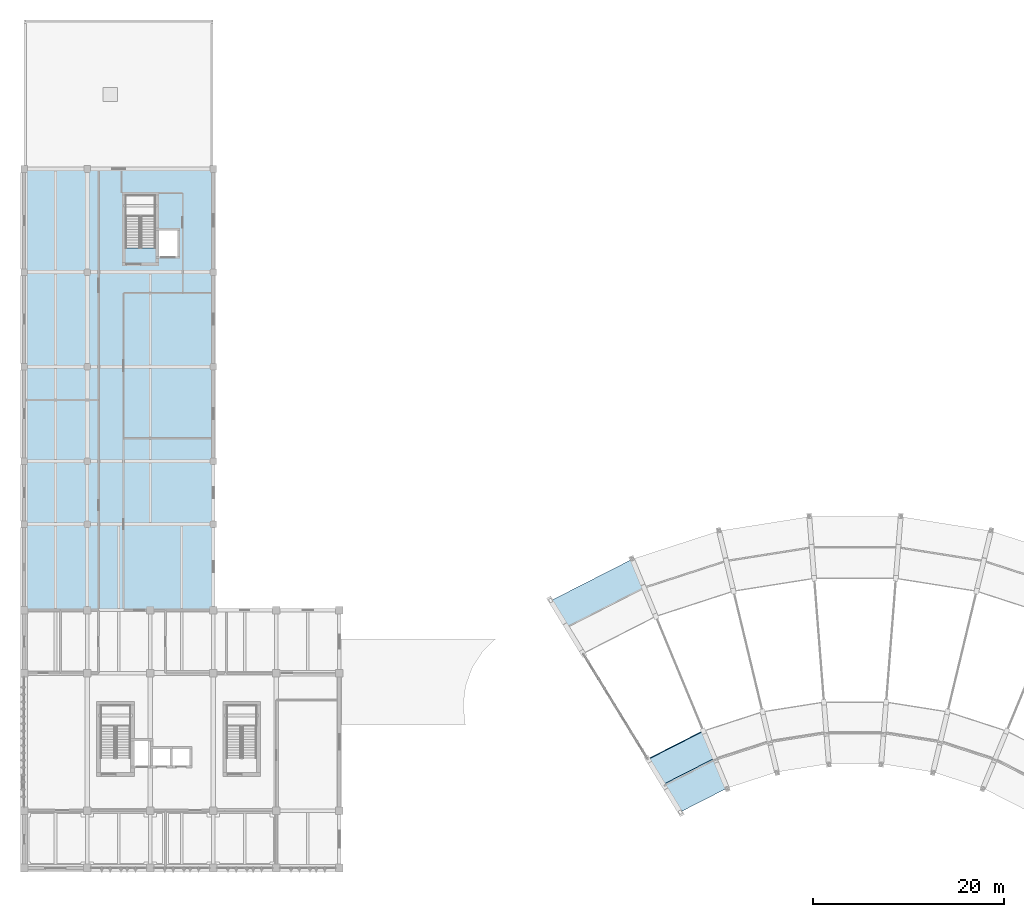
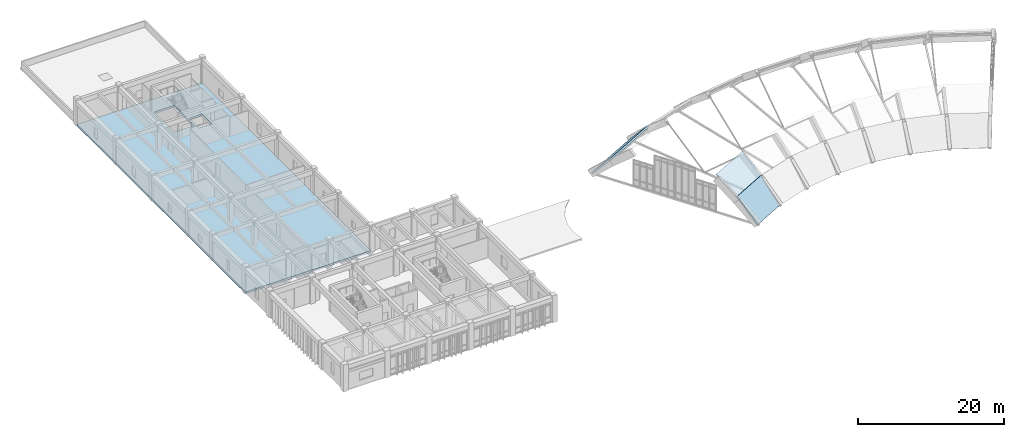
# One storey, part 17 of 34: 4 slabs.
"""IFC4 building model written with IfcOpenShell, lengths in metres."""

import ifcopenshell
import ifcopenshell.guid

model = None  # the IFC model being written
_history = None  # IfcOwnerHistory: only IFC2X3 demands one
_inside = {}  # id of a spatial element -> (the spatial element, [elements in it])
_under = {}  # id of a project, library or spatial element -> (it, [spatial elements below it])
_declared = {}  # id of a project -> (the project, [libraries it declares])
_typed = {}  # id of a type object -> (the type object, [elements of that type])
_made_of = {}  # id of a material, layer set ... -> (it, [elements and type objects made of it])


def new_model(schema):
    """Start an empty IFC model of exactly this schema.

    Asked for "IFC4X3", IfcOpenShell would pick the latest addendum, in which some entities
    have other attributes; the version numbers below select the first issue.
    IFC2X3 requires an IfcOwnerHistory on every rooted entity: one is made here for all.
    """
    global model, _history
    if schema == "IFC4X3":
        model = ifcopenshell.file(schema_version=(4, 3, 0, 0))
    else:
        model = ifcopenshell.file(schema=schema)
    _inside.clear()
    _under.clear()
    _declared.clear()
    _typed.clear()
    _made_of.clear()
    _history = None
    if model.schema == "IFC2X3":
        org = make("IfcOrganization", Name="unknown")
        user = make(
            "IfcPersonAndOrganization",
            ThePerson=make("IfcPerson", FamilyName="unknown"),
            TheOrganization=org,
        )
        app = make(
            "IfcApplication",
            ApplicationDeveloper=org,
            Version="unknown",
            ApplicationFullName="unknown",
            ApplicationIdentifier="unknown",
        )
        _history = make(
            "IfcOwnerHistory",
            OwningUser=user,
            OwningApplication=app,
            ChangeAction="ADDED",
            CreationDate=0,
        )
    return model


def make(cls, **values):
    """One entity of the class cls with the attributes given. An attribute that is None is left unset."""
    return model.create_entity(
        cls, **{name: value for name, value in values.items() if value is not None}
    )


def rooted(cls, **values):
    """An entity with a GlobalId (a new one), such as an element, a storey or a relation."""
    return make(cls, GlobalId=ifcopenshell.guid.new(), OwnerHistory=_history, **values)


def si_unit(unit_type, name, prefix=None):
    """IfcSIUnit, for example si_unit("LENGTHUNIT", "METRE", prefix="MILLI")."""
    return make("IfcSIUnit", UnitType=unit_type, Prefix=prefix, Name=name)


def assignment(units):
    """IfcUnitAssignment: the units of a project."""
    return None if units is None else make("IfcUnitAssignment", Units=units)


def point(xyz):
    """IfcCartesianPoint."""
    return None if xyz is None else make("IfcCartesianPoint", Coordinates=xyz)


def direction(xyz):
    """IfcDirection."""
    return None if xyz is None else make("IfcDirection", DirectionRatios=xyz)


def frame(location, z_axis=None, x_axis=None):
    """IfcAxis2Placement3D, a coordinate frame: its origin and axes. An axis left out is left unset."""
    return make(
        "IfcAxis2Placement3D",
        Location=point(location),
        Axis=direction(z_axis),
        RefDirection=direction(x_axis),
    )


def origin():
    """The frame at (0, 0, 0) with its axes left unset."""
    return frame((0.0, 0.0, 0.0))


def place(relative_to, where):
    """IfcLocalPlacement: puts the frame where relative to a parent placement (None: the world)."""
    return make(
        "IfcLocalPlacement", PlacementRelTo=relative_to, RelativePlacement=where
    )


def context(
    kind, dimensions, precision=None, world=None, true_north=None, identifier=None
):
    """IfcGeometricRepresentationContext, for example the 3D "Model" context."""
    return make(
        "IfcGeometricRepresentationContext",
        ContextIdentifier=identifier,
        ContextType=kind,
        CoordinateSpaceDimension=dimensions,
        Precision=precision,
        WorldCoordinateSystem=world,
        TrueNorth=true_north,
    )


def subcontext(parent, identifier, kind, view, scale=None):
    """IfcGeometricRepresentationSubContext, for example "Body" below "Model"."""
    return make(
        "IfcGeometricRepresentationSubContext",
        ContextIdentifier=identifier,
        ContextType=kind,
        ParentContext=parent,
        TargetScale=scale,
        TargetView=view,
    )


def project(units=None, contexts=None):
    """IfcProject with its units and contexts."""
    return rooted(
        "IfcProject",
        Name="project",
        RepresentationContexts=contexts,
        UnitsInContext=assignment(units),
    )


def spatial(cls, under=None, at=None, **own):
    """A site, building, storey or space (cls), placed at a placement, below another one or the project."""
    s = rooted(cls, ObjectPlacement=at, **own)
    if under is not None:
        _under.setdefault(under.id(), (under, []))[1].append(s)
    return s


def polyline(points):
    """IfcPolyline through the points."""
    return make("IfcPolyline", Points=[point(p) for p in points])


def outline(outer, holes=None, kind="AREA"):
    """IfcArbitraryClosedProfileDef: a profile drawn as a closed curve; with holes, ...WithVoids."""
    if holes is None:
        return make("IfcArbitraryClosedProfileDef", ProfileType=kind, OuterCurve=outer)
    return make(
        "IfcArbitraryProfileDefWithVoids",
        ProfileType=kind,
        OuterCurve=outer,
        InnerCurves=holes,
    )


def extrude(swept, where, along, depth):
    """IfcExtrudedAreaSolid: the profile swept, set in the frame where, extruded along a direction by depth."""
    return make(
        "IfcExtrudedAreaSolid",
        SweptArea=swept,
        Position=where,
        ExtrudedDirection=direction(along),
        Depth=depth,
    )


def shape(context_of_items, identifier, shape_type, items):
    """IfcShapeRepresentation: the items that make up one representation, for example the "Body"."""
    return make(
        "IfcShapeRepresentation",
        ContextOfItems=context_of_items,
        RepresentationIdentifier=identifier,
        RepresentationType=shape_type,
        Items=items,
    )


def material(Name=None, Category=None):
    """IfcMaterial."""
    return make("IfcMaterial", Name=Name, Category=Category)


def layer(
    of_material, thickness, ventilated=None, Name=None, Category=None, Priority=None
):
    """IfcMaterialLayer: one layer of a wall or slab, of a material (None: an air gap)."""
    return make(
        "IfcMaterialLayer",
        Material=of_material,
        LayerThickness=thickness,
        IsVentilated=ventilated,
        Name=Name,
        Category=Category,
        Priority=Priority,
    )


def layer_set(layers, Name=None):
    """IfcMaterialLayerSet."""
    return make("IfcMaterialLayerSet", MaterialLayers=layers, LayerSetName=Name)


def made_of(thing, what):
    """Note that an element or type object is made of a material, layer set ...; save() writes the relation."""
    if what is not None:
        _made_of.setdefault(what.id(), (what, []))[1].append(thing)
    return thing


def type_object(cls, material=None, **own):
    """A type object (cls), such as IfcWallType, which elements share."""
    return made_of(rooted(cls, **own), material)


def element(
    cls,
    number,
    at=None,
    inside=None,
    cuts=None,
    type_object=None,
    material=None,
    context=None,
    identifier="Body",
    shape_type=None,
    held_by="IfcProductDefinitionShape",
    body=None,
    shapes=None,
    **own,
):
    """One element of the class cls, such as IfcWall. Its Tag is "e" and its number.

    at: its placement. inside: the storey or other place that contains it. cuts: it is an
    opening in that element (IfcRelVoidsElement). A single representation is given by context,
    identifier, shape_type and body (its items); several are given by shapes. held_by: the class
    of the entity that holds the representations. save() writes the other relations.
    """
    e = rooted(cls, Tag="e%d" % number, ObjectPlacement=at, **own)
    if body is not None:
        shapes = [shape(context, identifier, shape_type, body)]
    if shapes is not None:
        e.Representation = make(held_by, Representations=shapes)
    if inside is not None:
        _inside.setdefault(inside.id(), (inside, []))[1].append(e)
    if cuts is not None:
        rooted(
            "IfcRelVoidsElement", RelatingBuildingElement=cuts, RelatedOpeningElement=e
        )
    if type_object is not None:
        _typed.setdefault(type_object.id(), (type_object, []))[1].append(e)
    return made_of(e, material)


def aggregate(whole, parts):
    """IfcRelAggregates: a whole, such as a stair, and the parts it consists of."""
    return rooted("IfcRelAggregates", RelatingObject=whole, RelatedObjects=parts)


def save(model, path):
    """Write the relations noted so far, then the file.

    IfcRelAggregates (storeys below a building ...), IfcRelContainedInSpatialStructure (elements
    in a storey), IfcRelDefinesByType, IfcRelAssociatesMaterial and IfcRelDeclares: one each for
    every whole, place, type object, material and project.
    """
    for whole, parts in _under.values():
        aggregate(whole, parts)
    for where, things in _inside.values():
        rooted(
            "IfcRelContainedInSpatialStructure",
            RelatedElements=things,
            RelatingStructure=where,
        )
    for kind, things in _typed.values():
        rooted("IfcRelDefinesByType", RelatedObjects=things, RelatingType=kind)
    for what, things in _made_of.values():
        rooted("IfcRelAssociatesMaterial", RelatedObjects=things, RelatingMaterial=what)
    for by, libraries in _declared.values():
        rooted("IfcRelDeclares", RelatingContext=by, RelatedDefinitions=libraries)
    model.write(path)


model = new_model("IFC4")

# Units and contexts
model_context = context("Model", 3, precision=1e-05, world=origin(), true_north=direction((0.0, 1.0)))
body_context = subcontext(model_context, "Body", "Model", "MODEL_VIEW")
ifc_project = project(units=[si_unit("LENGTHUNIT", "METRE"), si_unit("AREAUNIT", "SQUARE_METRE"), si_unit("VOLUMEUNIT", "CUBIC_METRE"), si_unit("PLANEANGLEUNIT", "RADIAN"), si_unit("MASSUNIT", "GRAM", prefix="KILO")], contexts=[model_context])

# Site, building, storey
site_placement = place(None, origin())
site = spatial("IfcSite", under=ifc_project, at=site_placement, CompositionType="ELEMENT")
building_placement = place(site_placement, origin())
building = spatial("IfcBuilding", under=site, at=building_placement, Name="Miralva Faculty of Natural Sciences", CompositionType="ELEMENT")
storey_placement = place(building_placement, frame((0.0, 0.0, 24.0)))
storey = spatial("IfcBuildingStorey", under=building, at=storey_placement, Name="L05", CompositionType="ELEMENT", Elevation=24.0)

# Slabs
ifc_material = material(Name="Concrete C40/50", Category="concrete")
ifc_layer_1 = layer(ifc_material, 0.320068359375, Name="SL-FL01")
ifc_layer_set_1 = layer_set([ifc_layer_1], Name="Concrete C40/50")
slab_type_1 = type_object("IfcSlabType", Name="SL-FL01", PredefinedType="FLOOR", material=ifc_layer_set_1)
slab_1_placement = place(storey_placement, frame((0.0, 0.0, -0.320068359375)))
element("IfcSlab", 1, at=slab_1_placement, inside=storey, type_object=slab_type_1, Name="V4 L05 floor slab", PredefinedType="FLOOR", context=body_context, shape_type="SweptSolid", body=[
    extrude(outline(polyline([(22.800048828125, 30.0), (3.0, 30.0), (3.0, 76.199951171875), (22.800048828125, 76.199951171875), (22.800048828125, 30.0)]), holes=[polyline([(16.72509765625, 67.925048828125), (13.625, 67.925048828125), (13.625, 73.425048828125), (16.72509765625, 73.425048828125), (16.72509765625, 67.925048828125)]), polyline([(19.050048828125, 67.050048828125), (17.050048828125, 67.050048828125), (17.050048828125, 69.75), (19.050048828125, 69.75), (19.050048828125, 67.050048828125)])]), origin(), (0.0, 0.0, 1.0), 0.320068359375),
])
ifc_layer_2 = layer(ifc_material, 0.139892578125, Name="SL-SH01")
ifc_layer_set_2 = layer_set([ifc_layer_2], Name="Concrete C40/50")
slab_type_2 = type_object("IfcSlabType", Name="SL-SH01", PredefinedType="ROOF", material=ifc_layer_set_2)
slab_2_placement = place(storey_placement, frame((70.00390625, 11.630615234375, 3.675048828125), z_axis=(0.287937683744, -0.565098274861, 0.773146706667), x_axis=(0.891007700789, 0.45398819044, -8.730993e-06)))
element("IfcSlab", 2, at=slab_2_placement, inside=storey, type_object=slab_type_2, Name="Thin concrete shell roof bay 1 strip 2", PredefinedType="ROOF", context=body_context, shape_type="SweptSolid", body=[
    extrude(outline(polyline([(0.0, 0.0), (6.005347143757238, 2.220446049250313e-16), (6.257043902367065, 4.138981325056693), (-0.25176224548957216, 4.13880905085643), (0.0, 0.0)])), origin(), (0.0, 0.0, -1.0), 0.139892578125),
])
ifc_layer_3 = layer(ifc_material, 0.260009765625, Name="SL-SH02")
ifc_layer_set_3 = layer_set([ifc_layer_3], Name="Concrete C40/50")
slab_type_3 = type_object("IfcSlabType", Name="SL-SH02", PredefinedType="ROOF", material=ifc_layer_set_3)
slab_3_placement = place(storey_placement, frame((71.7021484375, 8.859619140625, 0.0), z_axis=(0.342372514046, -0.671977943747, 0.656678539884), x_axis=(0.891015946712, 0.453972006521, -2.95837e-07)))
element("IfcSlab", 3, at=slab_3_placement, inside=storey, type_object=slab_type_3, Name="Thin concrete shell roof bay 1 strip 1", PredefinedType="ROOF", context=body_context, shape_type="SweptSolid", body=[
    extrude(outline(polyline([(0.0, 0.0), (5.495119817856978, 0.0), (5.7469978164079025, 4.8729697550327895), (-0.2520160678830777, 4.872965246248361), (0.0, 0.0)])), origin(), (0.0, 0.0, -1.0), 0.260009765625),
])
slab_4_placement = place(storey_placement, frame((59.815185546875, 28.257080078125, 3.675048828125), z_axis=(-0.342383956259, 0.671972113743, 0.656678539963), x_axis=(0.891008077742, 0.453987450706, -5.5046e-08)))
element("IfcSlab", 4, at=slab_4_placement, inside=storey, type_object=slab_type_3, Name="Thin concrete shell roof bay 1 strip 8", PredefinedType="ROOF", context=body_context, shape_type="SweptSolid", body=[
    extrude(outline(polyline([(0.0, 0.0), (9.065180102677447, 0.0), (9.31711485687849, 4.872966821070052), (-0.25195931227332874, 4.872968181158164), (0.0, 0.0)])), origin(), (0.0, 0.0, -1.0), 0.260009765625),
])

save(model, "model.ifc")
